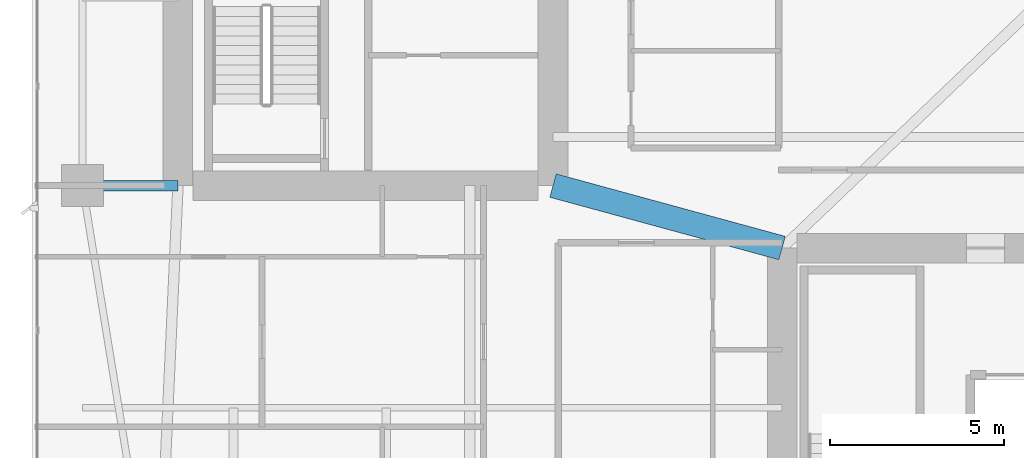
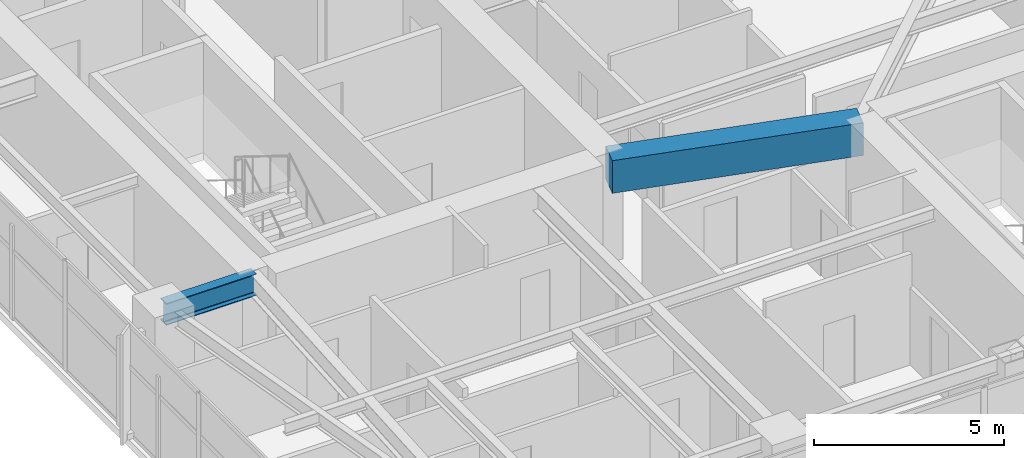
# One storey, part 7 of 29: 2 beams.
"""IFC4 building model written with IfcOpenShell, lengths in metres."""

from ifc_helpers import new_model, si_unit, direction, frame, origin, origin_2d, place, context, subcontext, project, spatial, rectangle, i_section, extrude, material, material_profile, profile_set, type_object, element, save


model = new_model("IFC4")

# Units and contexts
model_context = context("Model", 3, precision=1e-05, world=origin(), true_north=direction((0.0, 1.0)))
body_context = subcontext(model_context, "Body", "Model", "MODEL_VIEW")
ifc_project = project(units=[si_unit("LENGTHUNIT", "METRE"), si_unit("AREAUNIT", "SQUARE_METRE"), si_unit("VOLUMEUNIT", "CUBIC_METRE"), si_unit("PLANEANGLEUNIT", "RADIAN"), si_unit("MASSUNIT", "GRAM", prefix="KILO")], contexts=[model_context])

# Site, building, storey
site_placement = place(None, origin())
site = spatial("IfcSite", under=ifc_project, at=site_placement, CompositionType="ELEMENT")
building_placement = place(site_placement, origin())
building = spatial("IfcBuilding", under=site, at=building_placement, Name="Calvorn Quay Hotel", CompositionType="ELEMENT")
storey_placement = place(building_placement, frame((0.0, 0.0, 124.0)))
storey = spatial("IfcBuildingStorey", under=building, at=storey_placement, Name="L30", CompositionType="ELEMENT", Elevation=124.0)

# Beams
ifc_material_1 = material(Name="Steel Q390GJC", Category="steel")
ifc_material_profile_1 = material_profile(ifc_material_1, i_section(OverallWidth=0.300048828125, OverallDepth=0.699951171875, WebThickness=0.012939453125, FlangeThickness=0.02392578125, FilletRadius=0.02392578125, at=origin_2d()), Name="HN700x300x13x24")
ifc_profile_set_1 = profile_set([ifc_material_profile_1], Name="Steel Q390GJC")
beam_type_1 = type_object("IfcBeamType", Name="BM-GIRD-MAIN", PredefinedType="BEAM", material=ifc_profile_set_1)
beam_1_placement = place(storey_placement, frame((1.449951171875, 16.800048828125, 3.18994140625), z_axis=(1.0, 0.0, 0.0), x_axis=(0.0, 1.0, 0.0)))
element("IfcBeam", 1, at=beam_1_placement, inside=storey, type_object=beam_type_1, Name="Beam BG-L30-W1", PredefinedType="BEAM", context=body_context, shape_type="SweptSolid", body=[
    extrude(i_section(OverallWidth=0.300048828125, OverallDepth=0.699951171875, WebThickness=0.012939453125, FlangeThickness=0.02392578125, FilletRadius=0.02392578125, at=origin_2d()), origin(), (0.0, 0.0, 1.0), 2.75),
])
ifc_material_2 = material(Name="Concrete C50", Category="concrete")
ifc_material_profile_2 = material_profile(ifc_material_2, rectangle(XDim=0.699951171875, YDim=1.050048828125, at=origin_2d()), Name="RCB700x1050")
ifc_profile_set_2 = profile_set([ifc_material_profile_2], Name="Concrete C50")
beam_type_2 = type_object("IfcBeamType", Name="BM-RC-LINK-700x1050", PredefinedType="BEAM", material=ifc_profile_set_2)
beam_2_placement = place(storey_placement, frame((15.0, 16.800048828125, 3.014892578125), z_axis=(0.964762997686, -0.263120425462, 0.0), x_axis=(0.263120425462, 0.964762997686, 0.0)))
element("IfcBeam", 2, at=beam_2_placement, inside=storey, type_object=beam_type_2, Name="Beam BCL-L30-01", PredefinedType="BEAM", context=body_context, shape_type="SweptSolid", body=[
    extrude(rectangle(XDim=0.699951171875, YDim=1.050048828125, at=origin_2d()), origin(), (0.0, 0.0, 1.0), 6.841064453125),
])

save(model, "model.ifc")
